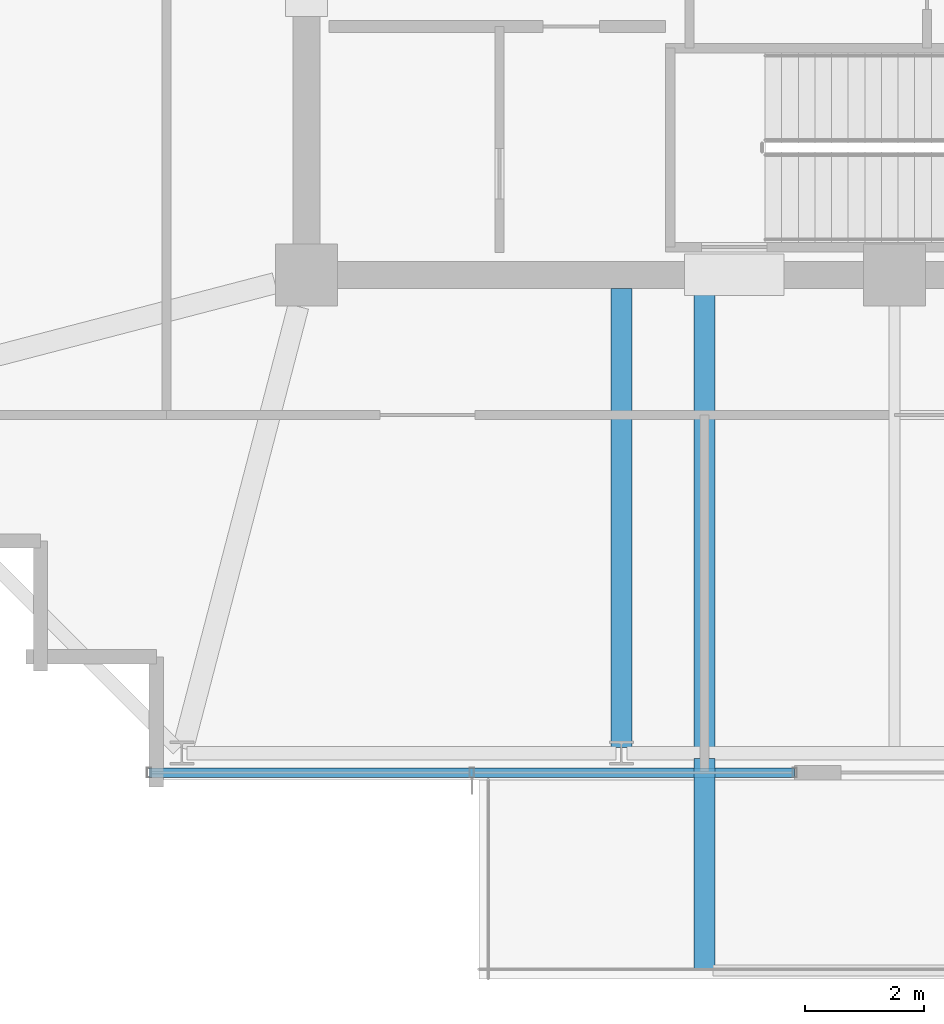
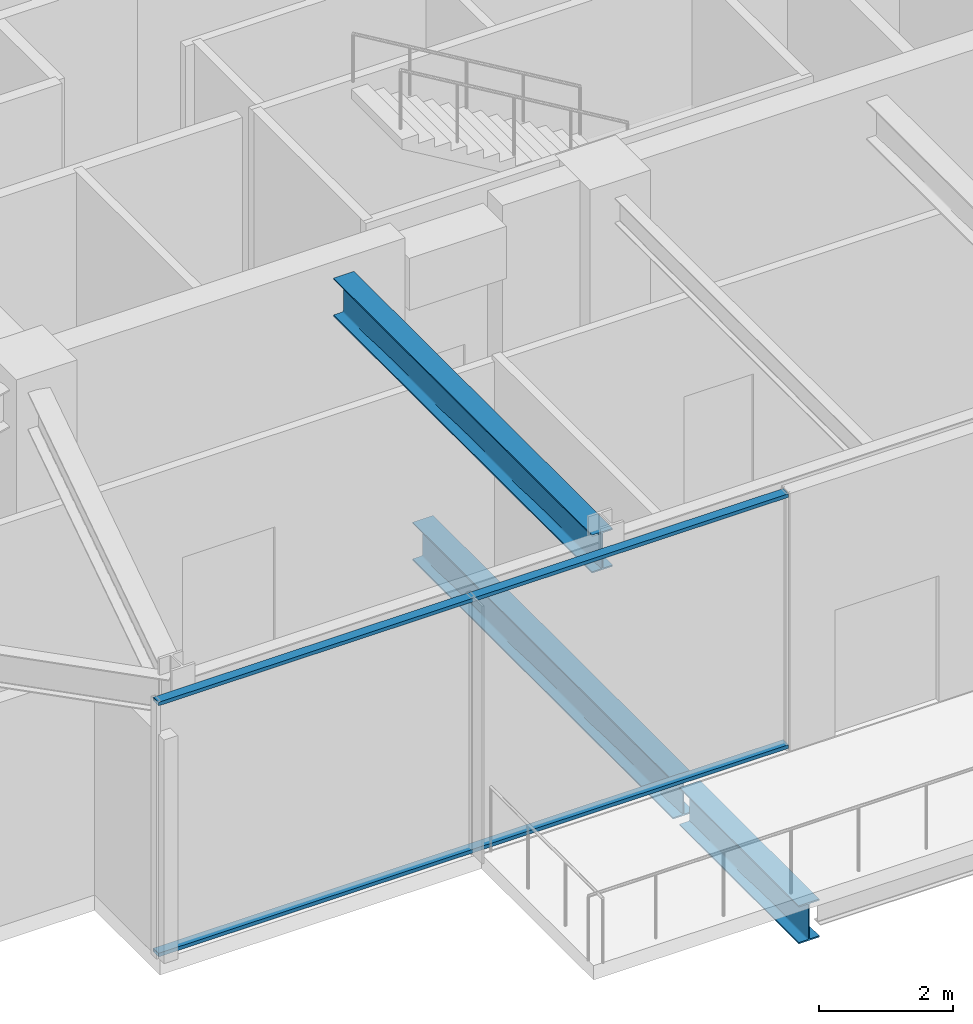
# One storey, part 3 of 31: 3 beams, 2 members, 1 element without a shape of its own.
"""IFC4 building model written with IfcOpenShell, lengths in metres."""

from ifc_helpers import new_model, si_unit, direction, frame, origin, origin_2d, place, context, subcontext, project, spatial, hollow_rectangle, i_section, extrude, material, material_profile, profile_set, type_object, element, aggregate, save


model = new_model("IFC4")

# Units and contexts
model_context = context("Model", 3, precision=1e-05, world=origin(), true_north=direction((0.0, 1.0)))
body_context = subcontext(model_context, "Body", "Model", "MODEL_VIEW")
ifc_project = project(units=[si_unit("LENGTHUNIT", "METRE"), si_unit("AREAUNIT", "SQUARE_METRE"), si_unit("VOLUMEUNIT", "CUBIC_METRE"), si_unit("PLANEANGLEUNIT", "RADIAN"), si_unit("MASSUNIT", "GRAM", prefix="KILO")], contexts=[model_context])

# Site, building, storey
site_placement = place(None, origin())
site = spatial("IfcSite", under=ifc_project, at=site_placement, CompositionType="ELEMENT")
building_placement = place(site_placement, origin())
building = spatial("IfcBuilding", under=site, at=building_placement, Name="Kolvaren Belvedere", CompositionType="ELEMENT")
storey_placement = place(building_placement, frame((0.0, 0.0, 267.39990234375)))
storey = spatial("IfcBuildingStorey", under=building, at=storey_placement, Name="L77", CompositionType="ELEMENT", Elevation=267.39990234375)

# Beams
ifc_material_1 = material(Name="Structural steel ASTM A992 Grade 50", Category="steel")
ifc_material_profile_1 = material_profile(ifc_material_1, i_section(OverallWidth=0.35498046875, OverallDepth=0.696044921875, WebThickness=0.015380859375, FlangeThickness=0.02490234375, FilletRadius=0.02197265625, at=origin_2d()), Name="W27X146")
ifc_profile_set_1 = profile_set([ifc_material_profile_1], Name="Structural steel ASTM A992 Grade 50")
beam_type_1 = type_object("IfcBeamType", Name="BM-CANT-BAL", PredefinedType="BEAM", material=ifc_profile_set_1)
beam_1_placement = place(storey_placement, frame((-3.199951171875, -18.044921875, -0.6279296875), z_axis=(0.0, -1.0, 0.0), x_axis=(1.0, 0.0, 0.0)))
element("IfcBeam", 1, at=beam_1_placement, inside=storey, type_object=beam_type_1, Name="L77 Planted Balcony Cantilever LOOKOUT-S-1", PredefinedType="BEAM", context=body_context, shape_type="SweptSolid", body=[
    extrude(i_section(OverallWidth=0.35498046875, OverallDepth=0.696044921875, WebThickness=0.015380859375, FlangeThickness=0.02490234375, FilletRadius=0.02197265625, at=origin_2d()), origin(), (0.0, 0.0, 1.0), 3.565185546875),
])
ifc_material_2 = material(Name="Structural steel ASTM A992 Grade 50", Category="steel")
ifc_material_profile_2 = material_profile(ifc_material_2, i_section(OverallWidth=0.35498046875, OverallDepth=0.696044921875, WebThickness=0.015380859375, FlangeThickness=0.02490234375, FilletRadius=0.02197265625, at=origin_2d()), Name="W27X146")
ifc_profile_set_2 = profile_set([ifc_material_profile_2], Name="Structural steel ASTM A992 Grade 50")
beam_type_2 = type_object("IfcBeamType", Name="BM-GIRD-W27X146", PredefinedType="BEAM", material=ifc_profile_set_2)
beam_2_placement = place(storey_placement, frame((-3.199951171875, -10.06494140625, -0.6279296875), z_axis=(0.0, -1.0, 0.0), x_axis=(1.0, 0.0, 0.0)))
element("IfcBeam", 2, at=beam_2_placement, inside=storey, type_object=beam_type_2, Name="L77 Balcony Interior Back-Span Girder LOOKOUT-S-1", PredefinedType="BEAM", context=body_context, shape_type="SweptSolid", body=[
    extrude(i_section(OverallWidth=0.35498046875, OverallDepth=0.696044921875, WebThickness=0.015380859375, FlangeThickness=0.02490234375, FilletRadius=0.02197265625, at=origin_2d()), origin(), (0.0, 0.0, 1.0), 7.7900390625),
])
beam_3_placement = place(storey_placement, frame((-4.60009765625, -10.125, 4.35205078125), z_axis=(0.0, -1.0, 0.0), x_axis=(1.0, 0.0, 0.0)))
element("IfcBeam", 3, at=beam_3_placement, inside=storey, type_object=beam_type_2, Name="L77 South Radial Girder M", PredefinedType="BEAM", context=body_context, shape_type="SweptSolid", body=[
    extrude(i_section(OverallWidth=0.35498046875, OverallDepth=0.696044921875, WebThickness=0.015380859375, FlangeThickness=0.02490234375, FilletRadius=0.02197265625, at=origin_2d()), origin(), (0.0, 0.0, 1.0), 7.7333984375),
])

# Curtain wall, members
ifc_material_3 = material(Name="Anodised pale-metal aluminium AA 6063-T6", Category="aluminium")
curtain_wall_type = type_object("IfcCurtainWallType", Name="CW-CRN-OBS", PredefinedType="NOTDEFINED", material=ifc_material_3)
curtain_wall_placement = place(storey_placement, origin())
curtain_wall = element("IfcCurtainWall", 4, at=curtain_wall_placement, inside=storey, type_object=curtain_wall_type, Name="L77 Unitised Curtain Wall FCW-L77-S2", PredefinedType="NOTDEFINED")
ifc_material_4 = material(Name="Anodised pale-metal aluminium AA 6063-T6", Category="aluminium")
ifc_material_profile_3 = material_profile(ifc_material_4, hollow_rectangle(XDim=0.06494140625, YDim=0.159912109375, WallThickness=0.00390625, at=origin_2d()), Name="ALU-TRN-160X65")
ifc_profile_set_3 = profile_set([ifc_material_profile_3], Name="Anodised pale-metal aluminium AA 6063-T6")
member_type = type_object("IfcMemberType", Name="CW-TRN-160", PredefinedType="USERDEFINED", material=ifc_profile_set_3)
member_1_placement = place(storey_placement, frame((-1.679931640625, -18.280029296875, 0.06005859375), z_axis=(-1.0, 0.0, 0.0), x_axis=(0.0, 0.0, 1.0)))
member_1 = element("IfcMember", 5, at=member_1_placement, type_object=member_type, Name="FCW-L77-S2 Sill Transom", ObjectType="TRANSOM", PredefinedType="USERDEFINED", context=body_context, shape_type="SweptSolid", body=[
    extrude(hollow_rectangle(XDim=0.06494140625, YDim=0.159912109375, WallThickness=0.00390625, at=origin_2d()), origin(), (0.0, 0.0, 1.0), 10.8701171875),
])
member_2_placement = place(storey_placement, frame((-1.679931640625, -18.280029296875, 4.64013671875), z_axis=(-1.0, 0.0, 0.0), x_axis=(0.0, 0.0, 1.0)))
member_2 = element("IfcMember", 6, at=member_2_placement, type_object=member_type, Name="FCW-L77-S2 Head Transom", ObjectType="TRANSOM", PredefinedType="USERDEFINED", context=body_context, shape_type="SweptSolid", body=[
    extrude(hollow_rectangle(XDim=0.06494140625, YDim=0.159912109375, WallThickness=0.00390625, at=origin_2d()), origin(), (0.0, 0.0, 1.0), 10.8701171875),
])
aggregate(curtain_wall, [member_1, member_2])

save(model, "model.ifc")
